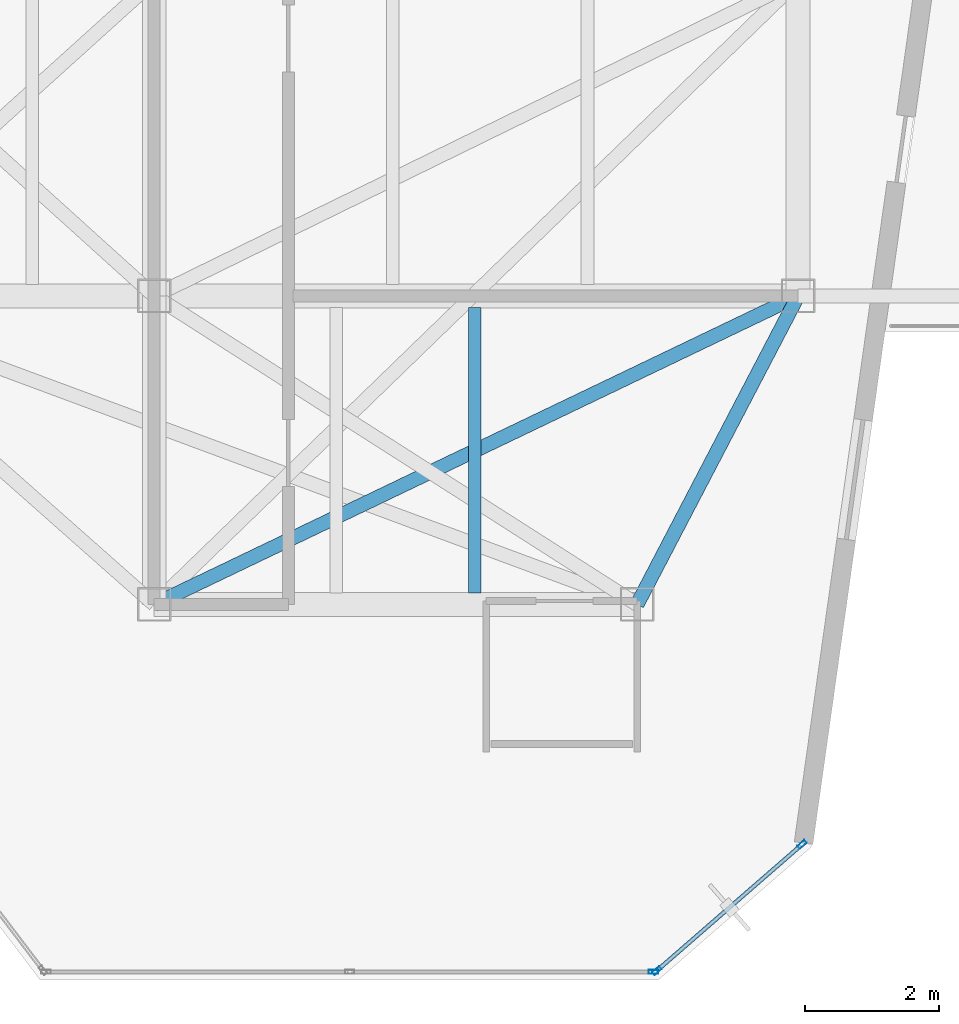
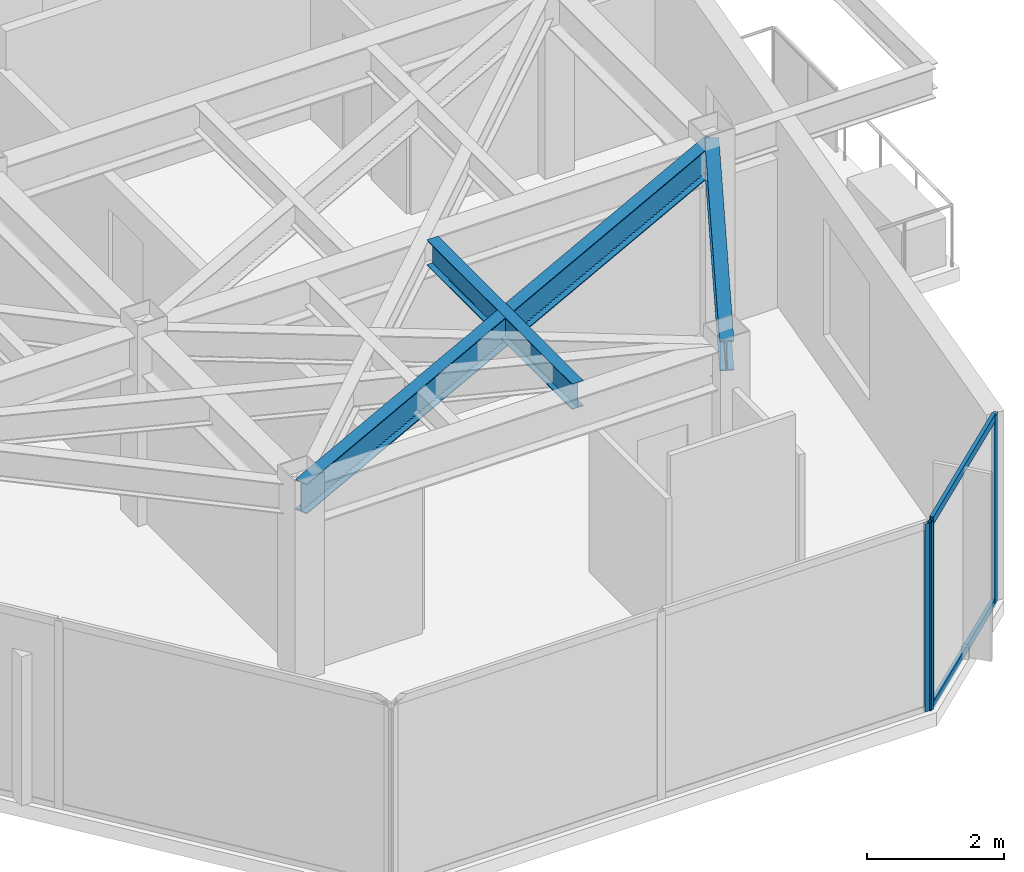
# One storey, part 14 of 20: 5 members, 3 beams, 2 elements without a shape of their own.
"""IFC4 building model written with IfcOpenShell, lengths in metres."""

from ifc_helpers import new_model, si_unit, direction, frame, origin, origin_2d, place, context, subcontext, project, spatial, hollow_rectangle, i_section, extrude, material, layer, layer_set, material_profile, profile_set, type_object, element, aggregate, save


model = new_model("IFC4")

# Units and contexts
model_context = context("Model", 3, precision=1e-05, world=origin(), true_north=direction((0.0, 1.0)))
body_context = subcontext(model_context, "Body", "Model", "MODEL_VIEW")
ifc_project = project(units=[si_unit("LENGTHUNIT", "METRE"), si_unit("AREAUNIT", "SQUARE_METRE"), si_unit("VOLUMEUNIT", "CUBIC_METRE"), si_unit("PLANEANGLEUNIT", "RADIAN"), si_unit("MASSUNIT", "GRAM", prefix="KILO")], contexts=[model_context])

# Site, building, storey
site_placement = place(None, origin())
site = spatial("IfcSite", under=ifc_project, at=site_placement, CompositionType="ELEMENT")
building_placement = place(site_placement, origin())
building = spatial("IfcBuilding", under=site, at=building_placement, Name="Kravanh Interchange Tower", CompositionType="ELEMENT")
storey_placement = place(building_placement, frame((0.0, 0.0, 238.199951171875)))
storey = spatial("IfcBuildingStorey", under=building, at=storey_placement, Name="L57", CompositionType="ELEMENT", Elevation=238.199951171875)

# Curtain wall, members
ifc_material_1 = material(Name="Anodised Bronze Aluminium", Category="aluminium")
ifc_layer = layer(ifc_material_1, 0.179931640625)
ifc_layer_set = layer_set([ifc_layer], Name="Unitised Curtain Wall System CW-HTL Luxury Hotel")
curtain_wall_type = type_object("IfcCurtainWallType", Name="Unitised Curtain Wall System CW-HTL Luxury Hotel", PredefinedType="NOTDEFINED", material=ifc_layer_set)
curtain_wall_1_placement = place(storey_placement, origin())
curtain_wall_1 = element("IfcCurtainWall", 1, at=curtain_wall_1_placement, inside=storey, type_object=curtain_wall_type, Name="L57 Unitised Curtain Wall CW-L57-02", PredefinedType="NOTDEFINED")
ifc_material_2 = material(Name="Anodised Bronze Aluminium", Category="aluminium")
ifc_material_profile_1 = material_profile(ifc_material_2, hollow_rectangle(XDim=0.06005859375, YDim=0.139892578125, WallThickness=0.00390625, at=origin_2d()), Name="ALU60X140X4")
ifc_profile_set_1 = profile_set([ifc_material_profile_1], Name="Anodised Bronze Aluminium")
member_type_1 = type_object("IfcMemberType", Name="Curtain Wall Mullion ALU60X140X4 Bronze", PredefinedType="MULLION", material=ifc_profile_set_1)
member_1_placement = place(storey_placement, frame((65.659912109375, 18.621826171875, 0.0), z_axis=(0.0, 0.0, 1.0), x_axis=(0.656033323139, -0.75473192521, 0.0)))
member_1 = element("IfcMember", 2, at=member_1_placement, type_object=member_type_1, Name="CW-HTL mullion 1", PredefinedType="MULLION", context=body_context, shape_type="SweptSolid", body=[
    extrude(hollow_rectangle(XDim=0.06005859375, YDim=0.139892578125, WallThickness=0.00390625, at=origin_2d()), origin(), (0.0, 0.0, 1.0), 3.360107421875),
])
member_2_placement = place(storey_placement, frame((63.494384765625, 16.73974609375, 0.0), z_axis=(0.0, 0.0, 1.0), x_axis=(0.656033323139, -0.75473192521, 0.0)))
member_2 = element("IfcMember", 3, at=member_2_placement, type_object=member_type_1, Name="CW-HTL mullion 2", PredefinedType="MULLION", context=body_context, shape_type="SweptSolid", body=[
    extrude(hollow_rectangle(XDim=0.06005859375, YDim=0.139892578125, WallThickness=0.00390625, at=origin_2d()), origin(), (0.0, 0.0, 1.0), 3.360107421875),
])

# Curtain wall, member
curtain_wall_2_placement = place(storey_placement, origin())
curtain_wall_2 = element("IfcCurtainWall", 4, at=curtain_wall_2_placement, inside=storey, type_object=curtain_wall_type, Name="L57 Unitised Curtain Wall CW-L57-03", PredefinedType="NOTDEFINED")
member_3_placement = place(storey_placement, frame((63.44189453125, 16.719970703125, 0.0), z_axis=(0.0, 0.0, 1.0), x_axis=(0.0, -1.0, 0.0)))
member_3 = element("IfcMember", 5, at=member_3_placement, type_object=member_type_1, Name="CW-HTL mullion 1", PredefinedType="MULLION", context=body_context, shape_type="SweptSolid", body=[
    extrude(hollow_rectangle(XDim=0.06005859375, YDim=0.139892578125, WallThickness=0.00390625, at=origin_2d()), origin(), (0.0, 0.0, 1.0), 3.360107421875),
])
aggregate(curtain_wall_2, [member_3])

# Member
ifc_material_3 = material(Name="Anodised Bronze Aluminium", Category="aluminium")
ifc_material_profile_2 = material_profile(ifc_material_3, hollow_rectangle(XDim=0.06005859375, YDim=0.139892578125, WallThickness=0.00390625, at=origin_2d()), Name="ALU60X140X4")
ifc_profile_set_2 = profile_set([ifc_material_profile_2], Name="Anodised Bronze Aluminium")
member_type_2 = type_object("IfcMemberType", Name="Curtain Wall Transom ALU60X140X4 Bronze", PredefinedType="USERDEFINED", material=ifc_profile_set_2)
member_4_placement = place(storey_placement, frame((65.63720703125, 18.602294921875, 0.030029296875), z_axis=(-0.754704676026, -0.656064670581, 0.0), x_axis=(0.656064670581, -0.754704676026, 0.0)))
member_4 = element("IfcMember", 6, at=member_4_placement, type_object=member_type_2, Name="CW-HTL transom 1.1", ObjectType="TRANSOM", PredefinedType="USERDEFINED", context=body_context, shape_type="SweptSolid", body=[
    extrude(hollow_rectangle(XDim=0.06005859375, YDim=0.139892578125, WallThickness=0.00390625, at=origin_2d()), origin(), (0.0, 0.0, 1.0), 2.80908203125),
])

member_5_placement = place(storey_placement, frame((65.63720703125, 18.602294921875, 3.330078125), z_axis=(-0.754704676026, -0.656064670581, 0.0), x_axis=(0.656064670581, -0.754704676026, 0.0)))
member_5 = element("IfcMember", 7, at=member_5_placement, type_object=member_type_2, Name="CW-HTL transom 1.2", ObjectType="TRANSOM", PredefinedType="USERDEFINED", context=body_context, shape_type="SweptSolid", body=[
    extrude(hollow_rectangle(XDim=0.06005859375, YDim=0.139892578125, WallThickness=0.00390625, at=origin_2d()), origin(), (0.0, 0.0, 1.0), 2.80908203125),
])

aggregate(curtain_wall_1, [member_1, member_2, member_4, member_5])

# Beams
ifc_material_4 = material(Name="Structural Steel S355", Category="steel")
ifc_material_profile_3 = material_profile(ifc_material_4, i_section(OverallWidth=0.18994140625, OverallDepth=0.45703125, WebThickness=0.009033203125, FlangeThickness=0.014404296875, FilletRadius=0.01806640625, at=origin_2d()), Name="W18X50")
ifc_profile_set_3 = profile_set([ifc_material_profile_3], Name="Structural Steel S355")
beam_type_1 = type_object("IfcBeamType", Name="Floor Joist W18X50 Structural Steel S355", PredefinedType="JOIST", material=ifc_profile_set_3)
beam_1_placement = place(storey_placement, frame((60.780029296875, 22.37255859375, 3.131591796875), z_axis=(0.0, 1.0, 0.0), x_axis=(-1.0, 0.0, 0.0)))
element("IfcBeam", 8, at=beam_1_placement, inside=storey, type_object=beam_type_1, Name="L57 Secondary Floor Joist 2", PredefinedType="JOIST", context=body_context, shape_type="SweptSolid", body=[
    extrude(i_section(OverallWidth=0.18994140625, OverallDepth=0.45703125, WebThickness=0.009033203125, FlangeThickness=0.014404296875, FilletRadius=0.01806640625, at=origin_2d()), origin(), (0.0, 0.0, 1.0), 4.2548828125),
])
ifc_material_5 = material(Name="Structural Steel S355", Category="steel")
ifc_material_profile_4 = material_profile(ifc_material_5, i_section(OverallWidth=0.2099609375, OverallDepth=0.537109375, WebThickness=0.010986328125, FlangeThickness=0.017333984375, FilletRadius=0.02001953125, at=origin_2d()), Name="W21X68")
ifc_profile_set_4 = profile_set([ifc_material_profile_4], Name="Structural Steel S355")
beam_type_2 = type_object("IfcBeamType", Name="Floor Spandrel W21X68 Structural Steel S355", PredefinedType="SPANDREL", material=ifc_profile_set_4)
beam_2_placement = place(storey_placement, frame((65.60009765625, 26.800048828125, 3.091552734375), z_axis=(-0.462580479178, -0.886577295155, 0.0), x_axis=(0.886577295155, -0.462580479178, 0.0)))
element("IfcBeam", 9, at=beam_2_placement, inside=storey, type_object=beam_type_2, Name="L57 Perimeter Spandrel 37", PredefinedType="SPANDREL", context=body_context, shape_type="SweptSolid", body=[
    extrude(i_section(OverallWidth=0.2099609375, OverallDepth=0.537109375, WebThickness=0.010986328125, FlangeThickness=0.017333984375, FilletRadius=0.02001953125, at=origin_2d()), origin(), (0.0, 0.0, 1.0), 5.188720703125),
])
beam_3_placement = place(storey_placement, frame((65.60009765625, 26.800048828125, 3.091552734375), z_axis=(-0.901814166789, -0.432124066188, 0.0), x_axis=(0.432124066188, -0.901814166789, 0.0)))
element("IfcBeam", 10, at=beam_3_placement, inside=storey, type_object=beam_type_2, Name="L57 Perimeter Spandrel 38", PredefinedType="SPANDREL", context=body_context, shape_type="SweptSolid", body=[
    extrude(i_section(OverallWidth=0.2099609375, OverallDepth=0.537109375, WebThickness=0.010986328125, FlangeThickness=0.017333984375, FilletRadius=0.02001953125, at=origin_2d()), origin(), (0.0, 0.0, 1.0), 10.645263671875),
])

save(model, "model.ifc")
